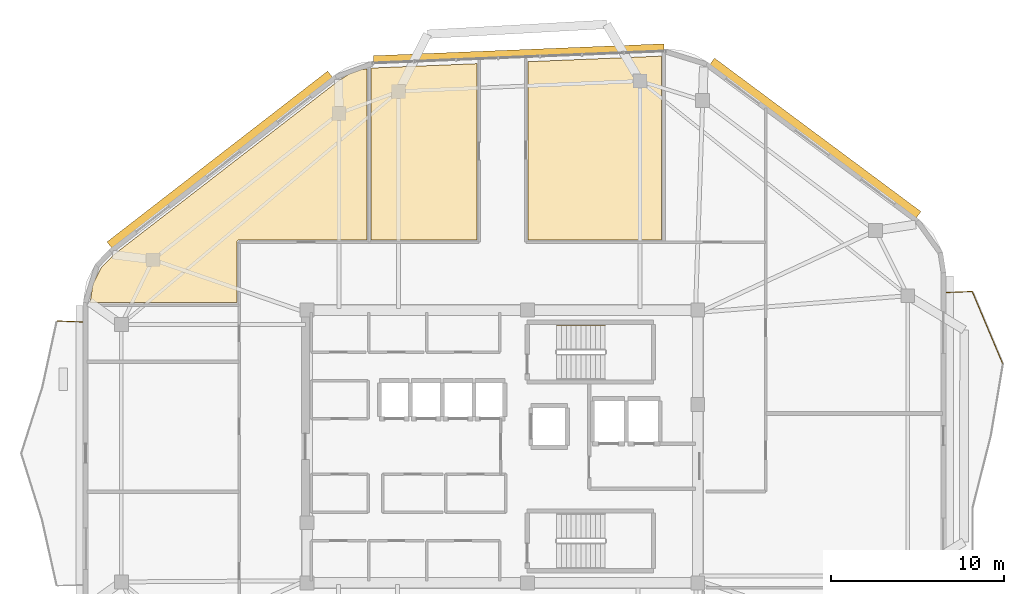
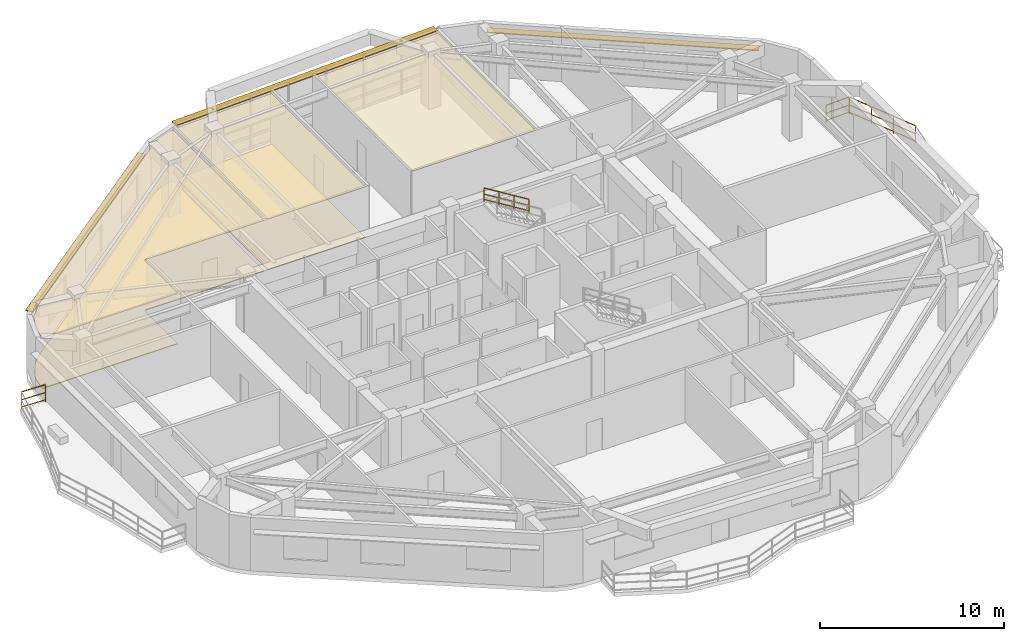
# One storey, part 12 of 12: 5 coverings, 4 railings, 3 shading devices.
"""IFC4 building model written with IfcOpenShell, lengths in metres."""

from ifc_helpers import new_model, si_unit, direction, frame, origin, origin_2d, place, context, subcontext, project, spatial, polyline, rectangle, outline, extrude, material, layer, layer_set, type_object, element, save


model = new_model("IFC4")

# Units and contexts
model_context = context("Model", 3, precision=1e-05, world=origin(), true_north=direction((0.0, 1.0)))
body_context = subcontext(model_context, "Body", "Model", "MODEL_VIEW")
ifc_project = project(units=[si_unit("LENGTHUNIT", "METRE"), si_unit("AREAUNIT", "SQUARE_METRE"), si_unit("VOLUMEUNIT", "CUBIC_METRE"), si_unit("PLANEANGLEUNIT", "RADIAN"), si_unit("MASSUNIT", "GRAM", prefix="KILO")], contexts=[model_context])

# Site, building, storey
site_placement = place(None, origin())
site = spatial("IfcSite", under=ifc_project, at=site_placement, CompositionType="ELEMENT")
building_placement = place(site_placement, origin())
building = spatial("IfcBuilding", under=site, at=building_placement, Name="Zulverin Broadcast Headquarters", CompositionType="ELEMENT")
storey_placement = place(building_placement, frame((0.0, 0.0, 293.39990234375)))
storey = spatial("IfcBuildingStorey", under=building, at=storey_placement, Name="L75", CompositionType="ELEMENT", Elevation=293.39990234375)

# Coverings
ifc_material_1 = material(Name="Perforated pale-metal acoustic baffle ceiling", Category="aluminium")
ifc_layer_1 = layer(ifc_material_1, 0.0400390625, Name="Perforated pale-metal acoustic baffle ceiling", Category="aluminium")
ifc_layer_set_1 = layer_set([ifc_layer_1], Name="Perforated pale-metal acoustic baffle ceiling")
covering_type_1 = type_object("IfcCoveringType", Name="COV-CEIL-ACOU", PredefinedType="CEILING", material=ifc_layer_set_1)
covering_1_placement = place(storey_placement, frame((0.0, 0.0, 3.360107421875)))
element("IfcCovering", 1, at=covering_1_placement, inside=storey, type_object=covering_type_1, Name="L75 Acoustic Baffle Ceiling 01", PredefinedType="CEILING", context=body_context, shape_type="SweptSolid", body=[
    extrude(outline(polyline([(28.16796875, 46.7080078125), (27.555908203125, 46.327880859375), (14.5439453125, 36.256103515625), (13.81201171875, 35.488037109375), (13.360107421875, 34.56396484375), (13.199951171875, 33.52001953125), (13.199951171875, 33.5), (21.679931640625, 33.5), (21.679931640625, 37.0), (21.679931640625, 37.011962890625), (21.68408203125, 37.02392578125), (21.68408203125, 37.035888671875), (21.68798828125, 37.0439453125), (21.696044921875, 37.055908203125), (21.699951171875, 37.068115234375), (21.7080078125, 37.075927734375), (21.716064453125, 37.083984375), (21.72412109375, 37.092041015625), (21.73193359375, 37.10009765625), (21.743896484375, 37.10400390625), (21.756103515625, 37.112060546875), (21.763916015625, 37.115966796875), (21.77587890625, 37.115966796875), (21.7880859375, 37.1201171875), (21.800048828125, 37.1201171875), (29.179931640625, 37.1201171875), (29.179931640625, 46.99609375), (28.823974609375, 46.947998046875), (28.16796875, 46.7080078125)])), origin(), (0.0, 0.0, 1.0), 0.0400390625),
])
covering_2_placement = place(storey_placement, frame((0.0, 0.0, 3.360107421875)))
element("IfcCovering", 2, at=covering_2_placement, inside=storey, type_object=covering_type_1, Name="L75 Acoustic Baffle Ceiling 02", PredefinedType="CEILING", context=body_context, shape_type="SweptSolid", body=[
    extrude(outline(polyline([(29.535888671875, 47.052001953125), (29.419921875, 47.031982421875), (29.419921875, 37.1201171875), (35.531982421875, 37.1201171875), (35.531982421875, 47.300048828125), (29.535888671875, 47.052001953125)])), origin(), (0.0, 0.0, 1.0), 0.0400390625),
])
covering_3_placement = place(storey_placement, frame((0.0, 0.0, 3.360107421875)))
element("IfcCovering", 3, at=covering_3_placement, inside=storey, type_object=covering_type_1, Name="L75 Acoustic Baffle Ceiling 03", PredefinedType="CEILING", context=body_context, shape_type="SweptSolid", body=[
    extrude(outline(polyline([(38.471923828125, 47.416015625), (38.471923828125, 37.1201171875), (46.179931640625, 37.1201171875), (46.179931640625, 47.736083984375), (38.471923828125, 47.416015625)])), origin(), (0.0, 0.0, 1.0), 0.0400390625),
])
ifc_material_2 = material(Name="Anti-static broadcast raised access flooring", Category="stone")
ifc_layer_2 = layer(ifc_material_2, 0.050048828125, Name="Anti-static broadcast raised access flooring", Category="stone")
ifc_layer_set_2 = layer_set([ifc_layer_2], Name="Anti-static broadcast raised access flooring")
covering_type_2 = type_object("IfcCoveringType", Name="COV-FLR-RAISED", PredefinedType="FLOORING", material=ifc_layer_set_2)
covering_4_placement = place(storey_placement, origin())
element("IfcCovering", 4, at=covering_4_placement, inside=storey, type_object=covering_type_2, Name="L75 Broadcast Raised Access Flooring 01", PredefinedType="FLOORING", context=body_context, shape_type="SweptSolid", body=[
    extrude(outline(polyline([(28.16796875, 46.7080078125), (27.555908203125, 46.327880859375), (14.5439453125, 36.256103515625), (13.81201171875, 35.488037109375), (13.360107421875, 34.56396484375), (13.199951171875, 33.52001953125), (13.199951171875, 33.5), (21.679931640625, 33.5), (21.679931640625, 37.0), (21.679931640625, 37.011962890625), (21.68408203125, 37.02392578125), (21.68408203125, 37.035888671875), (21.68798828125, 37.0439453125), (21.696044921875, 37.055908203125), (21.699951171875, 37.068115234375), (21.7080078125, 37.075927734375), (21.716064453125, 37.083984375), (21.72412109375, 37.092041015625), (21.73193359375, 37.10009765625), (21.743896484375, 37.10400390625), (21.756103515625, 37.112060546875), (21.763916015625, 37.115966796875), (21.77587890625, 37.115966796875), (21.7880859375, 37.1201171875), (21.800048828125, 37.1201171875), (29.179931640625, 37.1201171875), (29.179931640625, 46.99609375), (28.823974609375, 46.947998046875), (28.16796875, 46.7080078125)])), origin(), (0.0, 0.0, 1.0), 0.050048828125),
])
covering_5_placement = place(storey_placement, origin())
element("IfcCovering", 5, at=covering_5_placement, inside=storey, type_object=covering_type_2, Name="L75 Broadcast Raised Access Flooring 02", PredefinedType="FLOORING", context=body_context, shape_type="SweptSolid", body=[
    extrude(outline(polyline([(29.535888671875, 47.052001953125), (29.419921875, 47.031982421875), (29.419921875, 37.1201171875), (35.531982421875, 37.1201171875), (35.531982421875, 47.300048828125), (29.535888671875, 47.052001953125)])), origin(), (0.0, 0.0, 1.0), 0.050048828125),
])

# Railings
ifc_material_3 = material(Name="Brushed stainless steel & laminated glass balustrade", Category="steel")
railing_type_1 = type_object("IfcRailingType", Name="RL-GUARD-1150", PredefinedType="GUARDRAIL", material=ifc_material_3)
railing_1_placement = place(storey_placement, frame((65.8681640625, 30.000244140625, 0.0)))
element("IfcRailing", 6, at=railing_1_placement, inside=storey, type_object=railing_type_1, Name="L75 Vertical-Forest Balcony Guardrail BAL_E Segment 05", PredefinedType="GUARDRAIL", context=body_context, shape_type="SweptSolid", body=[
    extrude(rectangle(XDim=0.048095703125, YDim=0.048095703125, at=origin_2d()), frame((0.0, 0.0, 1.1259765625), z_axis=(-0.388239386157, 0.921558559743, 0.0), x_axis=(-0.921558559743, -0.388239386157, 0.0)), (0.0, 0.0, 1.0), 4.488037109375),
    extrude(rectangle(XDim=0.0419921875, YDim=0.0419921875, at=origin_2d()), frame((0.0, 0.0, 0.597900390625), z_axis=(-0.388239386157, 0.921558559743, 0.0), x_axis=(-0.921558559743, -0.388239386157, 0.0)), (0.0, 0.0, 1.0), 4.488037109375),
    extrude(rectangle(XDim=0.0419921875, YDim=0.0419921875, at=origin_2d()), frame((0.0, 0.0, 0.1201171875), z_axis=(-0.388239386157, 0.921558559743, 0.0), x_axis=(-0.921558559743, -0.388239386157, 0.0)), (0.0, 0.0, 1.0), 4.488037109375),
    extrude(rectangle(XDim=0.0419921875, YDim=0.0419921875, at=origin_2d()), origin(), (0.0, 0.0, 1.0), 1.101806640625),
    extrude(rectangle(XDim=0.0419921875, YDim=0.0419921875, at=origin_2d()), frame((-0.580810546875, 1.378662109375, 0.0)), (0.0, 0.0, 1.0), 1.101806640625),
    extrude(rectangle(XDim=0.0419921875, YDim=0.0419921875, at=origin_2d()), frame((-1.16162109375, 2.75732421875, 0.0)), (0.0, 0.0, 1.0), 1.101806640625),
    extrude(rectangle(XDim=0.0419921875, YDim=0.0419921875, at=origin_2d()), frame((-1.742431640625, 4.135986328125, 0.0)), (0.0, 0.0, 1.0), 1.101806640625),
])
railing_2_placement = place(storey_placement, frame((64.10498046875, 34.1494140625, 0.0)))
element("IfcRailing", 7, at=railing_2_placement, inside=storey, type_object=railing_type_1, Name="L75 Vertical-Forest Balcony Guardrail BAL_E Segment 06", PredefinedType="GUARDRAIL", context=body_context, shape_type="SweptSolid", body=[
    extrude(rectangle(XDim=0.048095703125, YDim=0.048095703125, at=origin_2d()), frame((0.0, 0.0, 1.1259765625), z_axis=(-0.999181155166, -0.040460093435, 0.0), x_axis=(0.040460093435, -0.999181155166, 0.0)), (0.0, 0.0, 1.0), 1.46630859375),
    extrude(rectangle(XDim=0.0419921875, YDim=0.0419921875, at=origin_2d()), frame((0.0, 0.0, 0.597900390625), z_axis=(-0.999181155166, -0.040460093435, 0.0), x_axis=(0.040460093435, -0.999181155166, 0.0)), (0.0, 0.0, 1.0), 1.46630859375),
    extrude(rectangle(XDim=0.0419921875, YDim=0.0419921875, at=origin_2d()), frame((0.0, 0.0, 0.1201171875), z_axis=(-0.999181155166, -0.040460093435, 0.0), x_axis=(0.040460093435, -0.999181155166, 0.0)), (0.0, 0.0, 1.0), 1.46630859375),
    extrude(rectangle(XDim=0.0419921875, YDim=0.0419921875, at=origin_2d()), origin(), (0.0, 0.0, 1.0), 1.101806640625),
    extrude(rectangle(XDim=0.0419921875, YDim=0.0419921875, at=origin_2d()), frame((-1.465087890625, -0.059326171875, 0.0)), (0.0, 0.0, 1.0), 1.101806640625),
])
railing_3_placement = place(storey_placement, frame((12.760009765625, 32.387939453125, 0.0)))
element("IfcRailing", 8, at=railing_3_placement, inside=storey, type_object=railing_type_1, Name="L75 Vertical-Forest Balcony Guardrail BAL_W Segment 01", PredefinedType="GUARDRAIL", context=body_context, shape_type="SweptSolid", body=[
    extrude(rectangle(XDim=0.048095703125, YDim=0.048095703125, at=origin_2d()), frame((0.0, 0.0, 1.1259765625), z_axis=(-0.999174410196, 0.040626321628, 0.0), x_axis=(-0.040626321628, -0.999174410196, 0.0)), (0.0, 0.0, 1.0), 1.46630859375),
    extrude(rectangle(XDim=0.0419921875, YDim=0.0419921875, at=origin_2d()), frame((0.0, 0.0, 0.597900390625), z_axis=(-0.999174410196, 0.040626321628, 0.0), x_axis=(-0.040626321628, -0.999174410196, 0.0)), (0.0, 0.0, 1.0), 1.46630859375),
    extrude(rectangle(XDim=0.0419921875, YDim=0.0419921875, at=origin_2d()), frame((0.0, 0.0, 0.1201171875), z_axis=(-0.999174410196, 0.040626321628, 0.0), x_axis=(-0.040626321628, -0.999174410196, 0.0)), (0.0, 0.0, 1.0), 1.46630859375),
    extrude(rectangle(XDim=0.0419921875, YDim=0.0419921875, at=origin_2d()), origin(), (0.0, 0.0, 1.0), 1.101806640625),
    extrude(rectangle(XDim=0.0419921875, YDim=0.0419921875, at=origin_2d()), frame((-1.465087890625, 0.0595703125, 0.0)), (0.0, 0.0, 1.0), 1.101806640625),
])
ifc_material_4 = material(Name="Brushed stainless steel 48 mm handrail", Category="steel")
railing_type_2 = type_object("IfcRailingType", Name="RL-ST-HAND", PredefinedType="HANDRAIL", material=ifc_material_4)
railing_4_placement = place(storey_placement, frame((42.929931640625, 32.199951171875, 2.07275390625)))
element("IfcRailing", 9, at=railing_4_placement, inside=storey, type_object=railing_type_2, Name="L75 ST-1 stair handrail 2", PredefinedType="HANDRAIL", context=body_context, shape_type="SweptSolid", body=[
    extrude(rectangle(XDim=0.048095703125, YDim=0.048095703125, at=origin_2d()), frame((0.0, 0.0, 0.8759765625), z_axis=(-0.851089632645, 0.0, 0.525020415988), x_axis=(0.0, -1.0, 0.0)), (0.0, 0.0, 1.0), 3.2900390625),
    extrude(rectangle(XDim=0.0419921875, YDim=0.0419921875, at=origin_2d()), frame((0.0, 0.0, 0.468017578125), z_axis=(-0.851089632645, 0.0, 0.525020415988), x_axis=(0.0, -1.0, 0.0)), (0.0, 0.0, 1.0), 3.2900390625),
    extrude(rectangle(XDim=0.0419921875, YDim=0.0419921875, at=origin_2d()), frame((0.0, 0.0, 0.1201171875), z_axis=(-0.851089632645, 0.0, 0.525020415988), x_axis=(0.0, -1.0, 0.0)), (0.0, 0.0, 1.0), 3.2900390625),
    extrude(rectangle(XDim=0.0419921875, YDim=0.0419921875, at=origin_2d()), origin(), (0.0, 0.0, 1.0), 0.851806640625),
    extrude(rectangle(XDim=0.0419921875, YDim=0.0419921875, at=origin_2d()), frame((-0.933349609375, 0.0, 0.57568359375)), (0.0, 0.0, 1.0), 0.851806640625),
    extrude(rectangle(XDim=0.0419921875, YDim=0.0419921875, at=origin_2d()), frame((-1.86669921875, 0.0, 1.151611328125)), (0.0, 0.0, 1.0), 0.851806640625),
    extrude(rectangle(XDim=0.0419921875, YDim=0.0419921875, at=origin_2d()), frame((-2.800048828125, 0.0, 1.727294921875)), (0.0, 0.0, 1.0), 0.851806640625),
])

# Shading devices
ifc_material_5 = material(Name="Anodized pale-metal aluminium sunshade", Category="aluminium")
ifc_layer_3 = layer(ifc_material_5, 0.06005859375, Name="Anodized pale-metal aluminium sunshade", Category="aluminium")
ifc_layer_set_3 = layer_set([ifc_layer_3], Name="Anodized pale-metal aluminium sunshade")
shading_device_type = type_object("IfcShadingDeviceType", Name="SS-01_PALE_METAL_ALUMINIUM_SUNSHADE", PredefinedType="USERDEFINED", material=ifc_layer_set_3)
shading_device_1_placement = place(storey_placement, frame((55.068603515625, 43.009033203125, 2.7099609375), z_axis=(0.0, 0.0, 1.0), x_axis=(-0.802486437986, 0.596670358614, 0.0)))
element("IfcShadingDevice", 10, at=shading_device_1_placement, inside=storey, type_object=shading_device_type, Name="L75 Horizontal Pale-Metal Sunshade Band 4", ObjectType="SUNSHADE", PredefinedType="USERDEFINED", context=body_context, shape_type="SweptSolid", body=[
    extrude(rectangle(XDim=14.84765625, YDim=0.449951171875, at=origin_2d()), origin(), (0.0, 0.0, 1.0), 0.06005859375),
])
shading_device_2_placement = place(storey_placement, frame((37.9501953125, 47.877197265625, 3.31005859375), z_axis=(0.0, 0.0, 1.0), x_axis=(-0.999156343069, -0.041068261531, 0.0)))
element("IfcShadingDevice", 11, at=shading_device_2_placement, inside=storey, type_object=shading_device_type, Name="L75 Pale-Metal Horizontal Sunshade Band CW-L75-E5", ObjectType="SUNSHADE", PredefinedType="USERDEFINED", context=body_context, shape_type="SweptSolid", body=[
    extrude(rectangle(XDim=16.783203125, YDim=0.449951171875, at=origin_2d()), origin(), (0.0, 0.0, 1.0), 0.06005859375),
])
shading_device_3_placement = place(storey_placement, frame((20.67919921875, 41.763671875, 2.7099609375), z_axis=(0.0, 0.0, 1.0), x_axis=(-0.790792140634, -0.612084790132, 0.0)))
element("IfcShadingDevice", 12, at=shading_device_3_placement, inside=storey, type_object=shading_device_type, Name="L75 Horizontal Pale-Metal Sunshade Band 6", ObjectType="SUNSHADE", PredefinedType="USERDEFINED", context=body_context, shape_type="SweptSolid", body=[
    extrude(rectangle(XDim=16.109130859375, YDim=0.449951171875, at=origin_2d()), origin(), (0.0, 0.0, 1.0), 0.06005859375),
])

save(model, "model.ifc")
